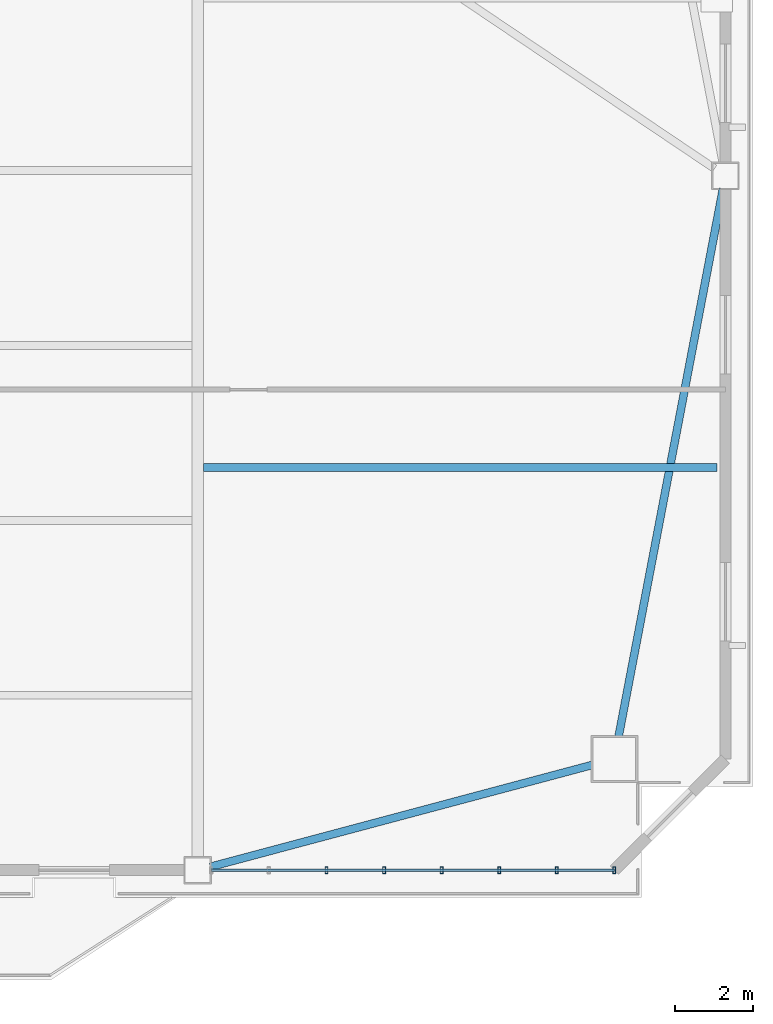
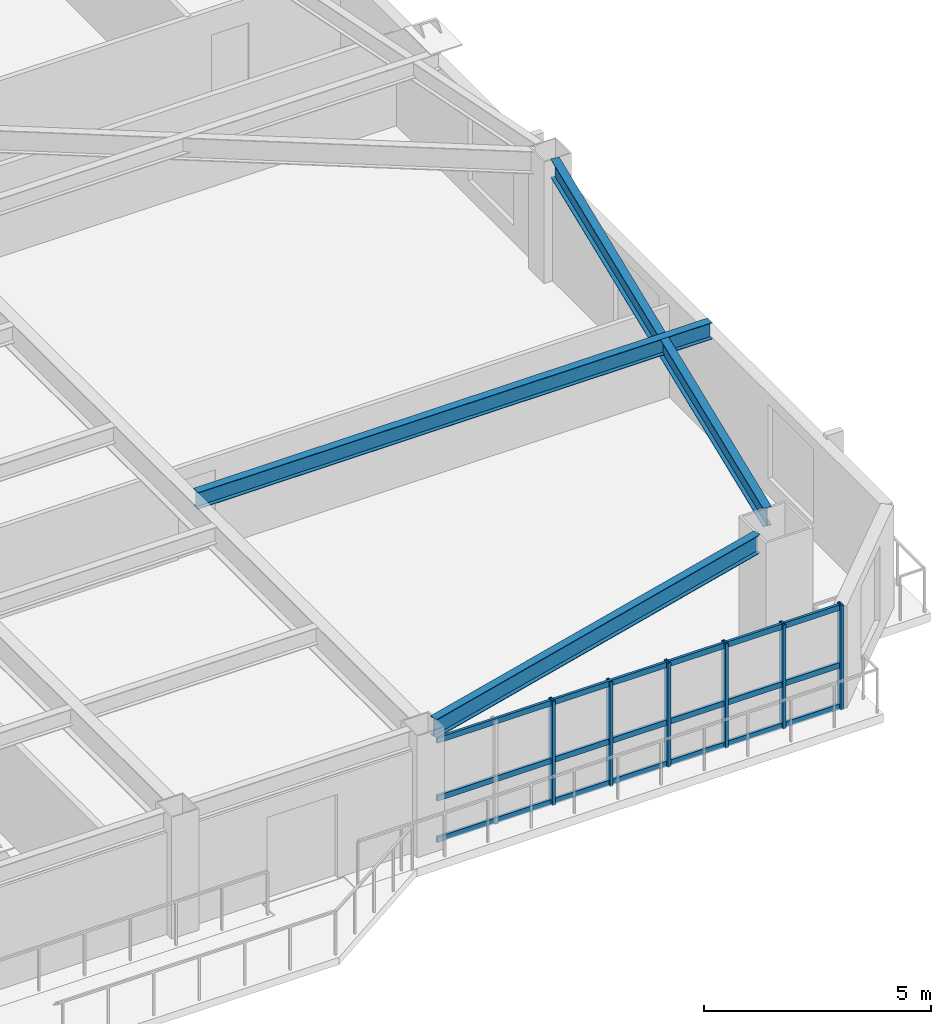
# One storey, part 6 of 17: 9 members, 3 beams, 1 element without a shape of its own.
"""IFC4 building model written with IfcOpenShell, lengths in metres."""

from ifc_helpers import new_model, si_unit, direction, frame, origin, origin_2d, place, context, subcontext, project, spatial, hollow_rectangle, i_section, extrude, source, transform, mapped, material, layer, layer_set, material_profile, profile_set, type_object, element, aggregate, save


model = new_model("IFC4")

# Units and contexts
model_context = context("Model", 3, precision=1e-05, world=origin(), true_north=direction((0.0, 1.0)))
body_context = subcontext(model_context, "Body", "Model", "MODEL_VIEW")
ifc_project = project(units=[si_unit("LENGTHUNIT", "METRE"), si_unit("AREAUNIT", "SQUARE_METRE"), si_unit("VOLUMEUNIT", "CUBIC_METRE"), si_unit("PLANEANGLEUNIT", "RADIAN"), si_unit("MASSUNIT", "GRAM", prefix="KILO")], contexts=[model_context])

# Site, building, storey
site_placement = place(None, origin())
site = spatial("IfcSite", under=ifc_project, at=site_placement, CompositionType="ELEMENT")
building_placement = place(site_placement, origin())
building = spatial("IfcBuilding", under=site, at=building_placement, Name="Giltprow Tower", CompositionType="ELEMENT")
storey_placement = place(building_placement, frame((0.0, 0.0, 195.699951171875)))
storey = spatial("IfcBuildingStorey", under=building, at=storey_placement, Name="L49", CompositionType="ELEMENT", Elevation=195.699951171875)

# Beams
ifc_material_1 = material(Name="Structural steel Q355B", Category="steel")
ifc_material_profile_1 = material_profile(ifc_material_1, i_section(OverallWidth=0.199951171875, OverallDepth=0.5, WebThickness=0.010009765625, FlangeThickness=0.01611328125, at=origin_2d()), Name="HN 500x200x10x16")
ifc_profile_set_1 = profile_set([ifc_material_profile_1], Name="Structural steel Q355B")
beam_type_1 = type_object("IfcBeamType", Name="BM-SPAN-HN500", PredefinedType="SPANDREL", material=ifc_profile_set_1)
shared_shape_1 = source(origin(), body_context, "Body", "SweptSolid", [
    extrude(i_section(OverallWidth=0.199951171875, OverallDepth=0.5, WebThickness=0.010009765625, FlangeThickness=0.01611328125, at=origin_2d()), origin(), (0.0, 0.0, 1.0), 10.07861328125),
])
beam_1_placement = place(storey_placement, frame((50.8740234375, 10.76611328125, 3.02001953125), z_axis=(0.966207996838, 0.257763664712, 0.0), x_axis=(-0.257763664712, 0.966207996838, 0.0)))
element("IfcBeam", 1, at=beam_1_placement, inside=storey, type_object=beam_type_1, Name="L49 Perimeter Spandrel Beam S4-MC_SE", PredefinedType="SPANDREL", context=body_context, shape_type="MappedRepresentation", body=[
    mapped(shared_shape_1, transform((0.0, 0.0, 0.0), x_axis=(1.0, 0.0, 0.0), y_axis=(0.0, 1.0, 0.0), z_axis=(0.0, 0.0, 1.0), scale=1.0)),
])
shared_shape_2 = source(origin(), body_context, "Body", "SweptSolid", [
    extrude(i_section(OverallWidth=0.199951171875, OverallDepth=0.5, WebThickness=0.010009765625, FlangeThickness=0.01611328125, at=origin_2d()), origin(), (0.0, 0.0, 1.0), 14.22216796875),
])
beam_2_placement = place(storey_placement, frame((61.287109375, 14.090087890625, 3.02001953125), z_axis=(0.187161802897, 0.982329099404, 0.0), x_axis=(-0.982329099404, 0.187161802897, 0.0)))
element("IfcBeam", 2, at=beam_2_placement, inside=storey, type_object=beam_type_1, Name="L49 Perimeter Spandrel Beam MC_SE-E_MID", PredefinedType="SPANDREL", context=body_context, shape_type="MappedRepresentation", body=[
    mapped(shared_shape_2, transform((0.0, 0.0, 0.0), x_axis=(1.0, 0.0, 0.0), y_axis=(0.0, 1.0, 0.0), z_axis=(0.0, 0.0, 1.0), scale=1.0)),
])
ifc_material_profile_2 = material_profile(ifc_material_1, i_section(OverallWidth=0.199951171875, OverallDepth=0.449951171875, WebThickness=0.009033203125, FlangeThickness=0.013916015625, at=origin_2d()), Name="HN 450x200x9x14")
ifc_profile_set_2 = profile_set([ifc_material_profile_2], Name="Structural steel Q355B")
beam_type_2 = type_object("IfcBeamType", Name="BM-JOIST-HN450", PredefinedType="JOIST", material=ifc_profile_set_2)
shared_shape_3 = source(origin(), body_context, "Body", "SweptSolid", [
    extrude(i_section(OverallWidth=0.199951171875, OverallDepth=0.449951171875, WebThickness=0.009033203125, FlangeThickness=0.013916015625, at=origin_2d()), origin(), (0.0, 0.0, 1.0), 13.096923828125),
])
beam_3_placement = place(storey_placement, frame((50.695068359375, 20.952880859375, 3.045166015625), z_axis=(1.0, 0.0, 0.0), x_axis=(0.0, 1.0, 0.0)))
element("IfcBeam", 3, at=beam_3_placement, inside=storey, type_object=beam_type_2, Name="L49 East Wing Floor Joist 1", PredefinedType="JOIST", context=body_context, shape_type="MappedRepresentation", body=[
    mapped(shared_shape_3, transform((0.0, 0.0, 0.0), x_axis=(1.0, 0.0, 0.0), y_axis=(0.0, 1.0, 0.0), z_axis=(0.0, 0.0, 1.0), scale=1.0)),
])

# Curtain wall, members
ifc_material_2 = material(Name="Anodized bronze", Category="metal")
ifc_layer = layer(ifc_material_2, 0.179931640625, Name="Anodized bronze")
ifc_layer_set = layer_set([ifc_layer], Name="Anodized bronze")
curtain_wall_type = type_object("IfcCurtainWallType", Name="CW-HTL-BRONZE", PredefinedType="NOTDEFINED", material=ifc_layer_set)
curtain_wall_placement = place(storey_placement, origin())
curtain_wall = element("IfcCurtainWall", 4, at=curtain_wall_placement, inside=storey, type_object=curtain_wall_type, Name="L49 South Recessed Curtain Wall 6", PredefinedType="NOTDEFINED")
ifc_material_profile_3 = material_profile(ifc_material_2, hollow_rectangle(XDim=0.074951171875, YDim=0.179931640625, WallThickness=0.008056640625, at=origin_2d()), Name="RHS 180x75x8")
ifc_profile_set_3 = profile_set([ifc_material_profile_3], Name="Anodized bronze")
member_type_1 = type_object("IfcMemberType", Name="CW-MULLION-180x75", PredefinedType="MULLION", material=ifc_profile_set_3)
shared_shape_4 = source(origin(), body_context, "Body", "SweptSolid", [
    extrude(hollow_rectangle(XDim=0.074951171875, YDim=0.179931640625, WallThickness=0.008056640625, at=origin_2d()), origin(), (0.0, 0.0, 1.0), 2.80517578125),
])
member_1_placement = place(storey_placement, frame((53.8359375, 10.679931640625, -0.02001953125), z_axis=(0.0, 0.0, 1.0), x_axis=(1.0, 0.0, 0.0)))
member_1 = element("IfcMember", 5, at=member_1_placement, type_object=member_type_1, Name="L49 South Recessed Curtain Wall 6 Mullion 3", PredefinedType="MULLION", context=body_context, shape_type="MappedRepresentation", body=[
    mapped(shared_shape_4, transform((0.0, 0.0, 0.0), x_axis=(1.0, 0.0, 0.0), y_axis=(0.0, 1.0, 0.0), z_axis=(0.0, 0.0, 1.0), scale=1.0)),
])
member_2_placement = place(storey_placement, frame((55.303955078125, 10.679931640625, -0.02001953125), z_axis=(0.0, 0.0, 1.0), x_axis=(1.0, 0.0, 0.0)))
member_2 = element("IfcMember", 6, at=member_2_placement, type_object=member_type_1, Name="L49 South Recessed Curtain Wall 6 Mullion 4", PredefinedType="MULLION", context=body_context, shape_type="MappedRepresentation", body=[
    mapped(shared_shape_4, transform((0.0, 0.0, 0.0), x_axis=(1.0, 0.0, 0.0), y_axis=(0.0, 1.0, 0.0), z_axis=(0.0, 0.0, 1.0), scale=1.0)),
])
member_3_placement = place(storey_placement, frame((56.77294921875, 10.679931640625, -0.02001953125), z_axis=(0.0, 0.0, 1.0), x_axis=(1.0, 0.0, 0.0)))
member_3 = element("IfcMember", 7, at=member_3_placement, type_object=member_type_1, Name="L49 South Recessed Curtain Wall 6 Mullion 5", PredefinedType="MULLION", context=body_context, shape_type="MappedRepresentation", body=[
    mapped(shared_shape_4, transform((0.0, 0.0, 0.0), x_axis=(1.0, 0.0, 0.0), y_axis=(0.0, 1.0, 0.0), z_axis=(0.0, 0.0, 1.0), scale=1.0)),
])
member_4_placement = place(storey_placement, frame((58.240966796875, 10.679931640625, -0.02001953125), z_axis=(0.0, 0.0, 1.0), x_axis=(1.0, 0.0, 0.0)))
member_4 = element("IfcMember", 8, at=member_4_placement, type_object=member_type_1, Name="L49 South Recessed Curtain Wall 6 Mullion 6", PredefinedType="MULLION", context=body_context, shape_type="MappedRepresentation", body=[
    mapped(shared_shape_4, transform((0.0, 0.0, 0.0), x_axis=(1.0, 0.0, 0.0), y_axis=(0.0, 1.0, 0.0), z_axis=(0.0, 0.0, 1.0), scale=1.0)),
])
member_5_placement = place(storey_placement, frame((59.708984375, 10.679931640625, -0.02001953125), z_axis=(0.0, 0.0, 1.0), x_axis=(1.0, 0.0, 0.0)))
member_5 = element("IfcMember", 9, at=member_5_placement, type_object=member_type_1, Name="L49 South Recessed Curtain Wall 6 Mullion 7", PredefinedType="MULLION", context=body_context, shape_type="MappedRepresentation", body=[
    mapped(shared_shape_4, transform((0.0, 0.0, 0.0), x_axis=(1.0, 0.0, 0.0), y_axis=(0.0, 1.0, 0.0), z_axis=(0.0, 0.0, 1.0), scale=1.0)),
])
member_6_placement = place(storey_placement, frame((61.177001953125, 10.679931640625, -0.02001953125), z_axis=(0.0, 0.0, 1.0), x_axis=(1.0, 0.0, 0.0)))
member_6 = element("IfcMember", 10, at=member_6_placement, type_object=member_type_1, Name="L49 South Recessed Curtain Wall 6 Mullion 8", PredefinedType="MULLION", context=body_context, shape_type="MappedRepresentation", body=[
    mapped(shared_shape_4, transform((0.0, 0.0, 0.0), x_axis=(1.0, 0.0, 0.0), y_axis=(0.0, 1.0, 0.0), z_axis=(0.0, 0.0, 1.0), scale=1.0)),
])
ifc_material_profile_4 = material_profile(ifc_material_2, hollow_rectangle(XDim=0.06494140625, YDim=0.14990234375, WallThickness=0.006103515625, at=origin_2d()), Name="RHS 150x65x6")
ifc_profile_set_4 = profile_set([ifc_material_profile_4], Name="Anodized bronze")
member_type_2 = type_object("IfcMemberType", Name="CW-TRANSOM-150x65", PredefinedType="USERDEFINED", material=ifc_profile_set_4)
shared_shape_5 = source(origin(), body_context, "Body", "SweptSolid", [
    extrude(hollow_rectangle(XDim=0.06494140625, YDim=0.14990234375, WallThickness=0.006103515625, at=origin_2d()), origin(), (0.0, 0.0, 1.0), 10.277099609375),
])
member_7_placement = place(storey_placement, frame((50.89990234375, 10.679931640625, 0.0400390625), z_axis=(1.0, 0.0, 0.0), x_axis=(0.0, 1.0, 0.0)))
member_7 = element("IfcMember", 11, at=member_7_placement, type_object=member_type_2, Name="L49 South Recessed Curtain Wall 6 Transom 1", ObjectType="TRANSOM", PredefinedType="USERDEFINED", context=body_context, shape_type="MappedRepresentation", body=[
    mapped(shared_shape_5, transform((0.0, 0.0, 0.0), x_axis=(1.0, 0.0, 0.0), y_axis=(0.0, 1.0, 0.0), z_axis=(0.0, 0.0, 1.0), scale=1.0)),
])
member_8_placement = place(storey_placement, frame((50.89990234375, 10.679931640625, 1.155029296875), z_axis=(1.0, 0.0, 0.0), x_axis=(0.0, 1.0, 0.0)))
member_8 = element("IfcMember", 12, at=member_8_placement, type_object=member_type_2, Name="L49 South Recessed Curtain Wall 6 Transom 2", ObjectType="TRANSOM", PredefinedType="USERDEFINED", context=body_context, shape_type="MappedRepresentation", body=[
    mapped(shared_shape_5, transform((0.0, 0.0, 0.0), x_axis=(1.0, 0.0, 0.0), y_axis=(0.0, 1.0, 0.0), z_axis=(0.0, 0.0, 1.0), scale=1.0)),
])
member_9_placement = place(storey_placement, frame((50.89990234375, 10.679931640625, 2.7099609375), z_axis=(1.0, 0.0, 0.0), x_axis=(0.0, 1.0, 0.0)))
member_9 = element("IfcMember", 13, at=member_9_placement, type_object=member_type_2, Name="L49 South Recessed Curtain Wall 6 Transom 3", ObjectType="TRANSOM", PredefinedType="USERDEFINED", context=body_context, shape_type="MappedRepresentation", body=[
    mapped(shared_shape_5, transform((0.0, 0.0, 0.0), x_axis=(1.0, 0.0, 0.0), y_axis=(0.0, 1.0, 0.0), z_axis=(0.0, 0.0, 1.0), scale=1.0)),
])
aggregate(curtain_wall, [member_1, member_2, member_3, member_4, member_5, member_6, member_7, member_8, member_9])

save(model, "model.ifc")
